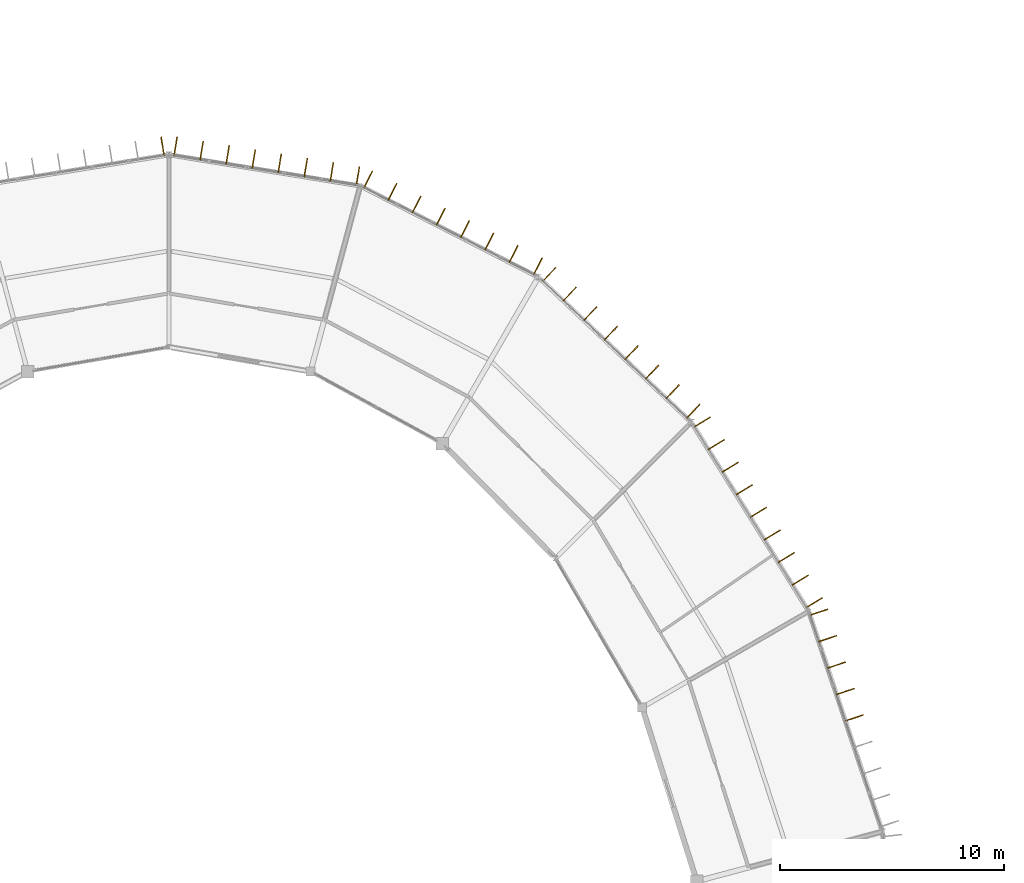
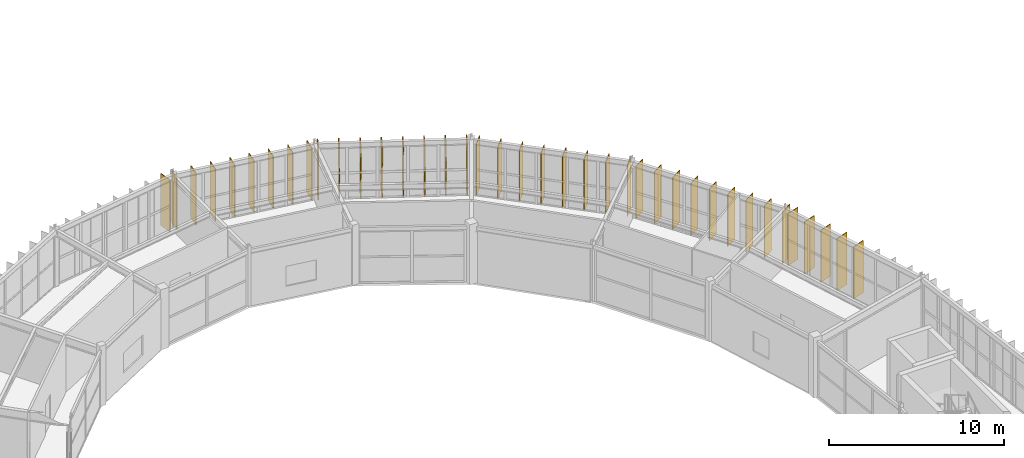
# One storey, part 132 of 134: 39 shading devices.
"""IFC4 building model written with IfcOpenShell, lengths in metres."""

from ifc_helpers import new_model, si_unit, direction, frame, origin, origin_2d, place, context, subcontext, project, spatial, rectangle, extrude, material, layer, layer_set, type_object, element, save


model = new_model("IFC4")

# Units and contexts
model_context = context("Model", 3, precision=1e-05, world=origin(), true_north=direction((0.0, 1.0)))
body_context = subcontext(model_context, "Body", "Model", "MODEL_VIEW")
ifc_project = project(units=[si_unit("LENGTHUNIT", "METRE"), si_unit("AREAUNIT", "SQUARE_METRE"), si_unit("VOLUMEUNIT", "CUBIC_METRE"), si_unit("PLANEANGLEUNIT", "RADIAN"), si_unit("MASSUNIT", "GRAM", prefix="KILO")], contexts=[model_context])

# Site, building, storey
site_placement = place(None, origin())
site = spatial("IfcSite", under=ifc_project, at=site_placement, CompositionType="ELEMENT")
building_placement = place(site_placement, origin())
building = spatial("IfcBuilding", under=site, at=building_placement, Name="Karori Crest Natural Sciences Institute", CompositionType="ELEMENT")
storey_placement = place(building_placement, frame((0.0, 0.0, 21.699951171875)))
storey = spatial("IfcBuildingStorey", under=building, at=storey_placement, Name="L05", CompositionType="ELEMENT", Elevation=21.699951171875)

# Shading devices
ifc_material = material(Name="Anodised architectural aluminium 6063-T6", Category="aluminium")
ifc_layer = layer(ifc_material, 0.044921875, Name="Anodised architectural aluminium 6063-T6")
ifc_layer_set = layer_set([ifc_layer], Name="Anodised architectural aluminium 6063-T6")
shading_device_type = type_object("IfcShadingDeviceType", Name="SDT-FIN", PredefinedType="USERDEFINED", material=ifc_layer_set)
for number, where, z_axis, x_axis, name in (
    (1, (95.42578125, 70.25634765625, 0.0), (0.0, 0.0, 1.0), (0.948197867933, 0.317680347595, 0.0), "Vertical solar fin FN-0826"),
    (2, (95.8212890625, 69.075439453125, 0.0), (0.0, 0.0, 1.0), (0.948197867933, 0.317680347595, 0.0), "Vertical solar fin FN-0827"),
    (3, (96.217041015625, 67.894775390625, 0.0), (0.0, 0.0, 1.0), (0.948197867933, 0.317680347595, 0.0), "Vertical solar fin FN-0828"),
    (4, (96.61279296875, 66.7138671875, 0.0), (0.0, 0.0, 1.0), (0.948197867933, 0.317680347595, 0.0), "Vertical solar fin FN-0829"),
    (5, (97.00830078125, 65.533203125, 0.0), (0.0, 0.0, 1.0), (0.948197867933, 0.317680347595, 0.0), "Vertical solar fin FN-0830"),
    (6, (90.215087890625, 78.7529296875, 0.0), (0.0, 0.0, 1.0), (0.849661763889, 0.527328063907, 0.0), "Vertical solar fin FN-0835"),
    (7, (90.84130859375, 77.743896484375, 0.0), (0.0, 0.0, 1.0), (0.849661763889, 0.527328063907, 0.0), "Vertical solar fin FN-0836"),
    (8, (91.4677734375, 76.73486328125, 0.0), (0.0, 0.0, 1.0), (0.849661763889, 0.527328063907, 0.0), "Vertical solar fin FN-0837"),
    (9, (92.093994140625, 75.725830078125, 0.0), (0.0, 0.0, 1.0), (0.849661763889, 0.527328063907, 0.0), "Vertical solar fin FN-0838"),
    (10, (92.72021484375, 74.716796875, 0.0), (0.0, 0.0, 1.0), (0.849661763889, 0.527328063907, 0.0), "Vertical solar fin FN-0839"),
    (11, (93.346435546875, 73.70751953125, 0.0), (0.0, 0.0, 1.0), (0.849661763889, 0.527328063907, 0.0), "Vertical solar fin FN-0840"),
    (12, (93.97265625, 72.698486328125, 0.0), (0.0, 0.0, 1.0), (0.849661763889, 0.527328063907, 0.0), "Vertical solar fin FN-0841"),
    (13, (94.59912109375, 71.689453125, 0.0), (0.0, 0.0, 1.0), (0.849661763889, 0.527328063907, 0.0), "Vertical solar fin FN-0842"),
    (14, (95.22509765625, 70.680419921875, 0.0), (0.0, 0.0, 1.0), (0.849661763889, 0.527328063907, 0.0), "Vertical solar fin FN-0843"),
    (15, (83.38037109375, 85.34326171875, 0.0), (0.0, 0.0, 1.0), (0.68825202143, 0.725471677599, 0.0), "Vertical solar fin FN-0844"),
    (16, (84.2998046875, 84.470947265625, 0.0), (0.0, 0.0, 1.0), (0.68825202143, 0.725471677599, 0.0), "Vertical solar fin FN-0845"),
    (17, (85.219482421875, 83.598388671875, 0.0), (0.0, 0.0, 1.0), (0.68825202143, 0.725471677599, 0.0), "Vertical solar fin FN-0846"),
    (18, (86.13916015625, 82.72607421875, 0.0), (0.0, 0.0, 1.0), (0.68825202143, 0.725471677599, 0.0), "Vertical solar fin FN-0847"),
    (19, (87.058837890625, 81.853515625, 0.0), (0.0, 0.0, 1.0), (0.68825202143, 0.725471677599, 0.0), "Vertical solar fin FN-0848"),
    (20, (87.978515625, 80.981201171875, 0.0), (0.0, 0.0, 1.0), (0.68825202143, 0.725471677599, 0.0), "Vertical solar fin FN-0849"),
    (21, (88.89794921875, 80.108642578125, 0.0), (0.0, 0.0, 1.0), (0.68825202143, 0.725471677599, 0.0), "Vertical solar fin FN-0850"),
    (22, (89.817626953125, 79.236328125, 0.0), (0.0, 0.0, 1.0), (0.68825202143, 0.725471677599, 0.0), "Vertical solar fin FN-0851"),
    (23, (75.2919921875, 89.590576171875, 0.0), (0.0, 0.0, 1.0), (0.455829213737, 0.890067260326, 0.0), "Vertical solar fin FN-0852"),
    (24, (76.375, 89.035888671875, 0.0), (0.0, 0.0, 1.0), (0.455829213737, 0.890067260326, 0.0), "Vertical solar fin FN-0853"),
    (25, (77.4580078125, 88.4814453125, 0.0), (0.0, 0.0, 1.0), (0.455829213737, 0.890067260326, 0.0), "Vertical solar fin FN-0854"),
    (26, (78.541015625, 87.9267578125, 0.0), (0.0, 0.0, 1.0), (0.455829213737, 0.890067260326, 0.0), "Vertical solar fin FN-0855"),
    (27, (79.623779296875, 87.372314453125, 0.0), (0.0, 0.0, 1.0), (0.455829213737, 0.890067260326, 0.0), "Vertical solar fin FN-0856"),
    (28, (80.706787109375, 86.817626953125, 0.0), (0.0, 0.0, 1.0), (0.455829213737, 0.890067260326, 0.0), "Vertical solar fin FN-0857"),
    (29, (81.789794921875, 86.262939453125, 0.0), (0.0, 0.0, 1.0), (0.455829213737, 0.890067260326, 0.0), "Vertical solar fin FN-0858"),
    (30, (82.872802734375, 85.70849609375, 0.0), (0.0, 0.0, 1.0), (0.455829213737, 0.890067260326, 0.0), "Vertical solar fin FN-0859"),
    (31, (66.690673828125, 91.068115234375, 0.0), (0.0, 0.0, 1.0), (0.160654710652, 0.987010670634, 0.0), "Vertical solar fin FN-0860"),
    (32, (67.853759765625, 90.87890625, 0.0), (0.0, 0.0, 1.0), (0.160654710652, 0.987010670634, 0.0), "Vertical solar fin FN-0861"),
    (33, (69.01708984375, 90.689453125, 0.0), (0.0, 0.0, 1.0), (0.160654710652, 0.987010670634, 0.0), "Vertical solar fin FN-0862"),
    (34, (70.180419921875, 90.5, 0.0), (0.0, 0.0, 1.0), (0.160654710652, 0.987010670634, 0.0), "Vertical solar fin FN-0863"),
    (35, (71.343505859375, 90.310791015625, 0.0), (0.0, 0.0, 1.0), (0.160654710652, 0.987010670634, 0.0), "Vertical solar fin FN-0864"),
    (36, (72.506591796875, 90.121337890625, 0.0), (0.0, 0.0, 1.0), (0.160654710652, 0.987010670634, 0.0), "Vertical solar fin FN-0865"),
    (37, (73.669921875, 89.93212890625, 0.0), (0.0, 0.0, 1.0), (0.160654710652, 0.987010670634, 0.0), "Vertical solar fin FN-0866"),
    (38, (74.833251953125, 89.74267578125, 0.0), (0.0, 0.0, 1.0), (0.160654710652, 0.987010670634, 0.0), "Vertical solar fin FN-0867"),
    (39, (66.109375, 91.068115234375, 0.0), (0.0, 0.0, 1.0), (-0.160649542674, 0.987011511807, 0.0), "Vertical solar fin FN-0875"),
):
    element("IfcShadingDevice", number, at=place(storey_placement, frame(where, z_axis=z_axis, x_axis=x_axis)), inside=storey, type_object=shading_device_type, Name=name, ObjectType="SOLAR_FIN", PredefinedType="USERDEFINED", context=body_context, shape_type="SweptSolid", body=[
        extrude(rectangle(XDim=0.85009765625, YDim=0.044921875, at=origin_2d()), origin(), (0.0, 0.0, 1.0), 3.625),
    ])

save(model, "model.ifc")
